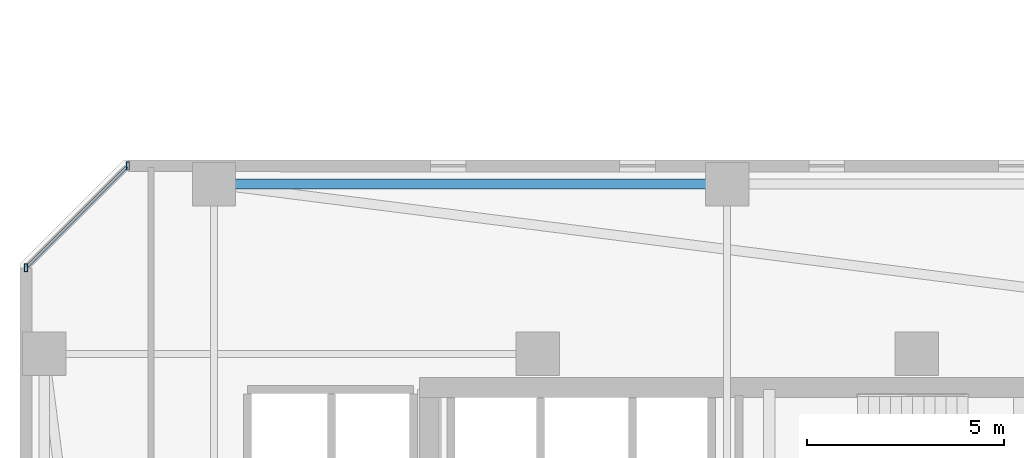
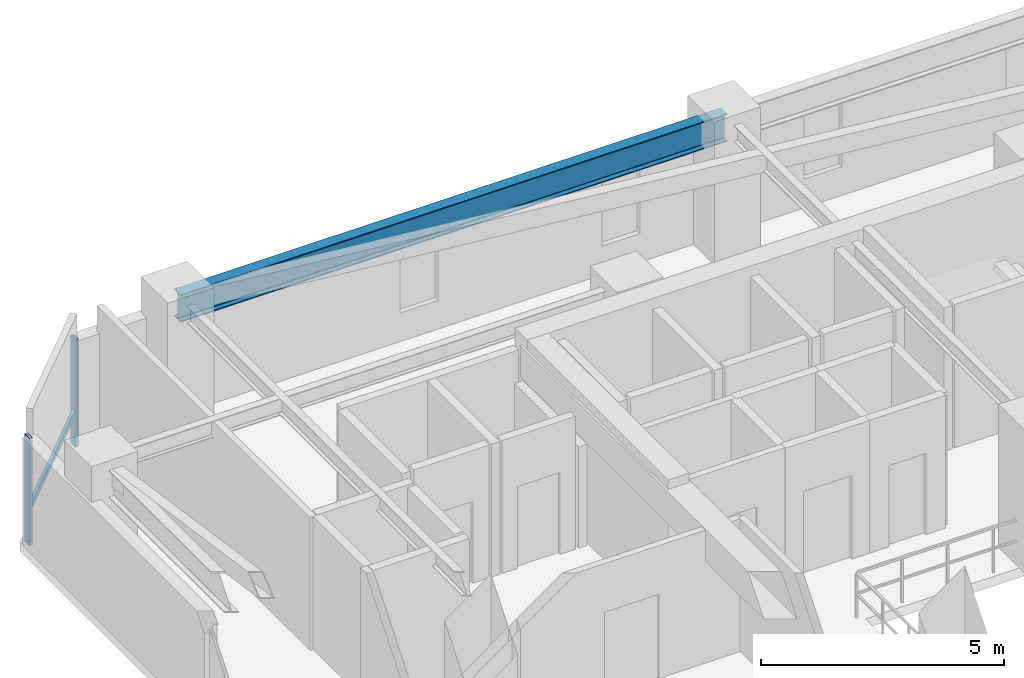
# One storey, part 8 of 32: 3 members, 1 beam, 1 element without a shape of its own.
"""IFC4 building model written with IfcOpenShell, lengths in metres."""

from ifc_helpers import new_model, si_unit, direction, frame, origin, origin_2d, place, context, subcontext, project, spatial, hollow_rectangle, i_section, extrude, material, material_profile, profile_set, type_object, element, aggregate, save


model = new_model("IFC4")

# Units and contexts
model_context = context("Model", 3, precision=1e-05, world=origin(), true_north=direction((0.0, 1.0)))
body_context = subcontext(model_context, "Body", "Model", "MODEL_VIEW")
ifc_project = project(units=[si_unit("LENGTHUNIT", "METRE"), si_unit("AREAUNIT", "SQUARE_METRE"), si_unit("VOLUMEUNIT", "CUBIC_METRE"), si_unit("PLANEANGLEUNIT", "RADIAN"), si_unit("MASSUNIT", "GRAM", prefix="KILO")], contexts=[model_context])

# Site, building, storey
site_placement = place(None, origin())
site = spatial("IfcSite", under=ifc_project, at=site_placement, CompositionType="ELEMENT")
building_placement = place(site_placement, origin())
building = spatial("IfcBuilding", under=site, at=building_placement, Name="Thornwick Lancets Civic Towers", CompositionType="ELEMENT")
storey_placement = place(building_placement, frame((0.0, 0.0, 156.300048828125)))
storey = spatial("IfcBuildingStorey", under=building, at=storey_placement, Name="L41", CompositionType="ELEMENT", Elevation=156.300048828125)

# Beam
ifc_material_1 = material(Name="Steel S355JR", Category="steel")
ifc_material_profile_1 = material_profile(ifc_material_1, i_section(OverallWidth=0.255859375, OverallDepth=0.69287109375, WebThickness=0.014404296875, FlangeThickness=0.023681640625, FilletRadius=0.01513671875, at=origin_2d()), Name="UKB 686x254x170")
ifc_profile_set_1 = profile_set([ifc_material_profile_1], Name="Steel S355JR")
beam_type = type_object("IfcBeamType", Name="BM_GIRD_686_170", PredefinedType="BEAM", material=ifc_profile_set_1)
beam_placement = place(storey_placement, frame((12.5, 44.300048828125, 3.013427734375), z_axis=(1.0, 0.0, 0.0), x_axis=(0.0, 1.0, 0.0)))
element("IfcBeam", 1, at=beam_placement, inside=storey, type_object=beam_type, Name="BM-SPINE-L41-A-6-7", PredefinedType="BEAM", context=body_context, shape_type="SweptSolid", body=[
    extrude(i_section(OverallWidth=0.255859375, OverallDepth=0.69287109375, WebThickness=0.014404296875, FlangeThickness=0.023681640625, FilletRadius=0.01513671875, at=origin_2d()), origin(), (0.0, 0.0, 1.0), 13.0),
])

# Curtain wall, members
ifc_material_2 = material(Name="Mid-zone chamfered-corner unitised glass curtain wall", Category="glass")
curtain_wall_type = type_object("IfcCurtainWallType", Name="CW_SYS_04", PredefinedType="NOTDEFINED", material=ifc_material_2)
curtain_wall_placement = place(storey_placement, origin())
curtain_wall = element("IfcCurtainWall", 2, at=curtain_wall_placement, inside=storey, type_object=curtain_wall_type, Name="L41 Curtain Wall CW-L41-A-E5", PredefinedType="NOTDEFINED")
ifc_material_3 = material(Name="Thermally broken bronze aluminium S355", Category="steel")
ifc_material_profile_2 = material_profile(ifc_material_3, hollow_rectangle(XDim=0.080078125, YDim=0.199951171875, WallThickness=0.006103515625, at=origin_2d()), Name="RHS 200x80x6")
ifc_profile_set_2 = profile_set([ifc_material_profile_2], Name="Thermally broken bronze aluminium S355")
member_type_1 = type_object("IfcMemberType", Name="CW_MUL_200", PredefinedType="MULLION", material=ifc_profile_set_2)
member_1_placement = place(storey_placement, frame((10.318603515625, 44.7646484375, 0.0), z_axis=(0.0, 0.0, 1.0), x_axis=(1.0, 0.0, 0.0)))
member_1 = element("IfcMember", 3, at=member_1_placement, type_object=member_type_1, Name="CW-L41-A-E5 Mullion 0", PredefinedType="MULLION", context=body_context, shape_type="SweptSolid", body=[
    extrude(hollow_rectangle(XDim=0.080078125, YDim=0.199951171875, WallThickness=0.006103515625, at=origin_2d()), origin(), (0.0, 0.0, 1.0), 2.699951171875),
])
member_2_placement = place(storey_placement, frame((7.7353515625, 42.181396484375, 0.0), z_axis=(0.0, 0.0, 1.0), x_axis=(1.0, 0.0, 0.0)))
member_2 = element("IfcMember", 4, at=member_2_placement, type_object=member_type_1, Name="CW-L41-A-E5 Mullion 1", PredefinedType="MULLION", context=body_context, shape_type="SweptSolid", body=[
    extrude(hollow_rectangle(XDim=0.080078125, YDim=0.199951171875, WallThickness=0.006103515625, at=origin_2d()), origin(), (0.0, 0.0, 1.0), 2.699951171875),
])
ifc_material_profile_3 = material_profile(ifc_material_3, hollow_rectangle(XDim=0.074951171875, YDim=0.14990234375, WallThickness=0.0048828125, at=origin_2d()), Name="RHS 150x75x5")
ifc_profile_set_3 = profile_set([ifc_material_profile_3], Name="Thermally broken bronze aluminium S355")
member_type_2 = type_object("IfcMemberType", Name="CW_TRN_150", PredefinedType="USERDEFINED", material=ifc_profile_set_3)
member_3_placement = place(storey_placement, frame((10.304443359375, 44.75048828125, 0.849853515625), z_axis=(-0.707106781187, -0.707106781187, 0.0), x_axis=(0.707106781187, -0.707106781187, 0.0)))
member_3 = element("IfcMember", 5, at=member_3_placement, type_object=member_type_2, Name="CW-L41-A-E5 Transom 0", ObjectType="TRANSOM", PredefinedType="USERDEFINED", context=body_context, shape_type="SweptSolid", body=[
    extrude(hollow_rectangle(XDim=0.074951171875, YDim=0.14990234375, WallThickness=0.0048828125, at=origin_2d()), origin(), (0.0, 0.0, 1.0), 3.61328125),
])
aggregate(curtain_wall, [member_1, member_2, member_3])

save(model, "model.ifc")
